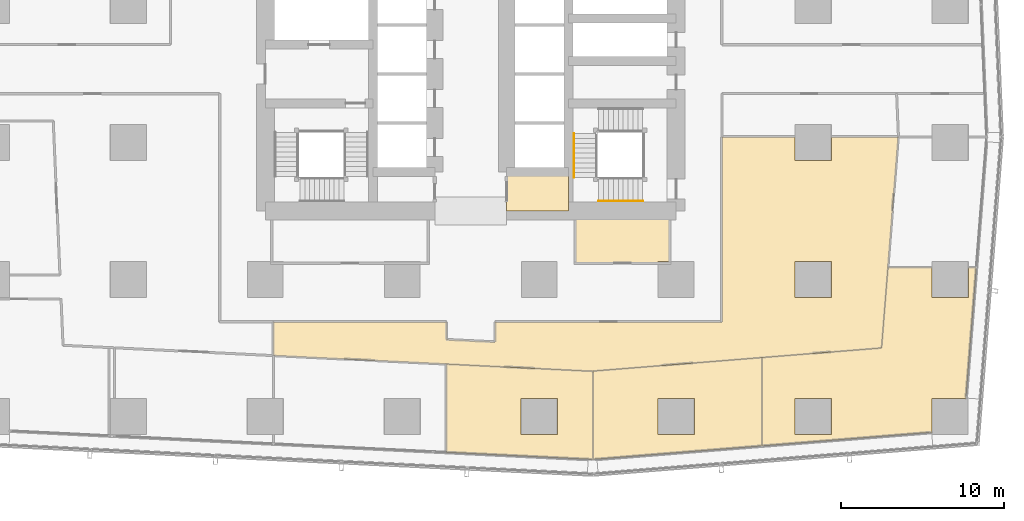
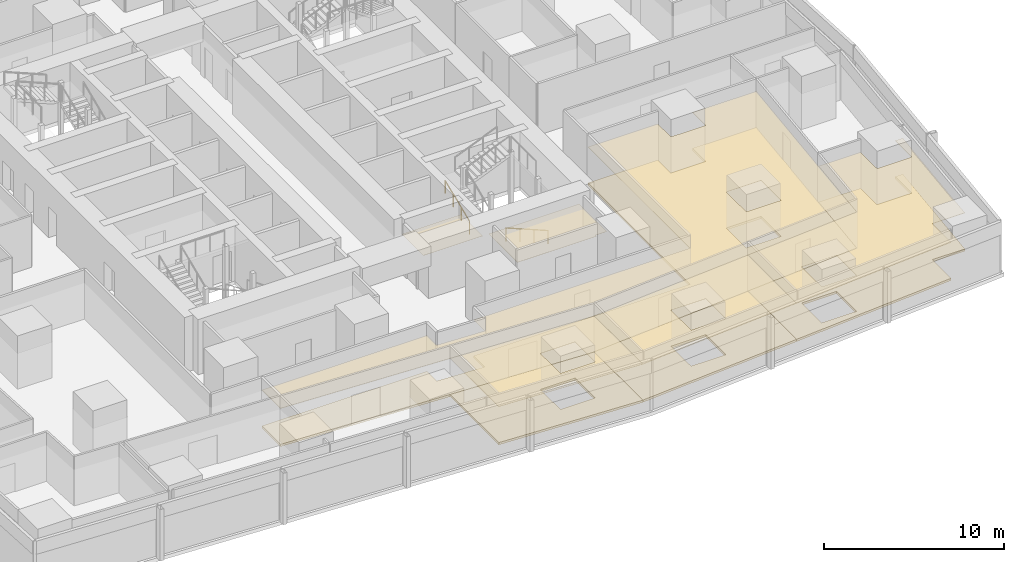
# One storey, part 38 of 44: 10 coverings, 2 railings.
"""IFC4 building model written with IfcOpenShell, lengths in metres."""

from ifc_helpers import new_model, si_unit, direction, frame, origin, origin_2d, place, context, subcontext, project, spatial, polyline, circle, outline, extrude, material, layer, layer_set, type_object, element, save


model = new_model("IFC4")

# Units and contexts
model_context = context("Model", 3, precision=1e-05, world=origin(), true_north=direction((0.0, 1.0)))
body_context = subcontext(model_context, "Body", "Model", "MODEL_VIEW")
ifc_project = project(units=[si_unit("LENGTHUNIT", "METRE"), si_unit("AREAUNIT", "SQUARE_METRE"), si_unit("VOLUMEUNIT", "CUBIC_METRE"), si_unit("PLANEANGLEUNIT", "RADIAN"), si_unit("MASSUNIT", "GRAM", prefix="KILO")], contexts=[model_context])

# Site, building, storey
site_placement = place(None, origin())
site = spatial("IfcSite", under=ifc_project, at=site_placement, CompositionType="ELEMENT")
building_placement = place(site_placement, origin())
building = spatial("IfcBuilding", under=site, at=building_placement, Name="Rekha Terrace Tower", CompositionType="ELEMENT")
storey_placement = place(building_placement, frame((0.0, 0.0, 74.14990234375)))
storey = spatial("IfcBuildingStorey", under=building, at=storey_placement, Name="L18", CompositionType="ELEMENT", Elevation=74.14990234375)

# Coverings
ifc_material_1 = material(Name="Mineral fibre tile in exposed grid", Category="finish")
ifc_layer_1 = layer(ifc_material_1, 0.02001953125)
ifc_layer_set_1 = layer_set([ifc_layer_1], Name="Mineral fibre tile in exposed grid")
covering_type_1 = type_object("IfcCoveringType", Name="CL1 600x1200 office grid ceiling", PredefinedType="CEILING", material=ifc_layer_set_1)
covering_1_placement = place(storey_placement, frame((0.0, 0.0, 2.580078125)))
element("IfcCovering", 1, at=covering_1_placement, inside=storey, type_object=covering_type_1, Name="Ceiling L18-02", PredefinedType="CEILING", context=body_context, shape_type="SweptSolid", body=[
    extrude(outline(polyline([(45.303955078125, 11.1669921875), (36.299072265625, 11.60888671875), (36.299072265625, 6.202880859375), (45.303955078125, 5.760009765625), (45.303955078125, 11.1669921875)]), holes=[polyline([(43.114990234375, 7.284912109375), (40.885009765625, 7.284912109375), (40.885009765625, 9.514892578125), (43.114990234375, 9.514892578125), (43.114990234375, 7.284912109375)])]), origin(), (0.0, 0.0, 1.0), 0.02001953125),
])
covering_2_placement = place(storey_placement, frame((0.0, 0.0, 2.580078125)))
element("IfcCovering", 2, at=covering_2_placement, inside=storey, type_object=covering_type_1, Name="Ceiling L18-03", PredefinedType="CEILING", context=body_context, shape_type="SweptSolid", body=[
    extrude(outline(polyline([(55.6708984375, 6.594970703125), (55.6708984375, 12.011962890625), (45.304931640625, 11.181884765625), (45.304931640625, 5.764892578125), (55.6708984375, 6.594970703125)]), holes=[polyline([(51.514892578125, 7.284912109375), (49.284912109375, 7.284912109375), (49.284912109375, 9.514892578125), (51.514892578125, 9.514892578125), (51.514892578125, 7.284912109375)])]), origin(), (0.0, 0.0, 1.0), 0.02001953125),
])
covering_3_placement = place(storey_placement, frame((0.0, 0.0, 2.580078125)))
element("IfcCovering", 3, at=covering_3_placement, inside=storey, type_object=covering_type_1, Name="Ceiling L18-04", PredefinedType="CEILING", context=body_context, shape_type="SweptSolid", body=[
    extrude(outline(polyline([(62.99609375, 12.59912109375), (55.673095703125, 12.012939453125), (55.673095703125, 6.594970703125), (66.0849609375, 7.428955078125), (66.0849609375, 9.514892578125), (68.16796875, 9.514892578125), (68.803955078125, 17.52294921875), (68.31494140625, 17.52294921875), (68.31494140625, 15.68505859375), (66.0849609375, 15.68505859375), (66.0849609375, 17.52294921875), (63.386962890625, 17.52294921875), (62.99609375, 12.59912109375)]), holes=[polyline([(59.9150390625, 7.284912109375), (57.68505859375, 7.284912109375), (57.68505859375, 9.514892578125), (59.9150390625, 9.514892578125), (59.9150390625, 7.284912109375)])]), origin(), (0.0, 0.0, 1.0), 0.02001953125),
])
covering_4_placement = place(storey_placement, frame((0.0, 0.0, 2.580078125)))
element("IfcCovering", 4, at=covering_4_placement, inside=storey, type_object=covering_type_1, Name="Ceiling L18-O1", PredefinedType="CEILING", context=body_context, shape_type="SweptSolid", body=[
    extrude(outline(polyline([(25.697021484375, 12.1298828125), (36.299072265625, 11.60888671875), (45.18798828125, 11.173095703125), (45.320068359375, 11.18310546875), (55.673095703125, 12.011962890625), (55.673095703125, 12.012939453125), (62.99609375, 12.59912109375), (63.386962890625, 17.52392578125), (64.02392578125, 25.552001953125), (59.9150390625, 25.552001953125), (59.9150390625, 24.0849609375), (57.68505859375, 24.0849609375), (57.68505859375, 25.552001953125), (53.199951171875, 25.552001953125), (53.199951171875, 14.199951171875), (39.300048828125, 14.199951171875), (39.300048828125, 12.964111328125), (36.300048828125, 13.111083984375), (36.300048828125, 14.199951171875), (25.697021484375, 14.199951171875), (25.697021484375, 12.1298828125)]), holes=[polyline([(59.9150390625, 17.9150390625), (59.9150390625, 15.68505859375), (57.68505859375, 15.68505859375), (57.68505859375, 17.9150390625), (59.9150390625, 17.9150390625)])]), origin(), (0.0, 0.0, 1.0), 0.02001953125),
])
ifc_material_2 = material(Name="Fibre cement board", Category="finish")
ifc_layer_2 = layer(ifc_material_2, 0.014892578125)
ifc_layer_set_2 = layer_set([ifc_layer_2], Name="Fibre cement board")
covering_type_2 = type_object("IfcCoveringType", Name="CL2 moisture-resistant board ceiling", PredefinedType="CEILING", material=ifc_layer_set_2)
covering_5_placement = place(storey_placement, frame((0.0, 0.0, 2.585205078125)))
element("IfcCovering", 5, at=covering_5_placement, inside=storey, type_object=covering_type_2, Name="Ceiling L18-WCA", PredefinedType="CEILING", context=body_context, shape_type="SweptSolid", body=[
    extrude(outline(polyline([(43.800048828125, 23.39990234375), (40.0, 23.39990234375), (40.0, 21.0), (43.800048828125, 21.0), (43.800048828125, 23.39990234375)])), origin(), (0.0, 0.0, 1.0), 0.014892578125),
])
covering_6_placement = place(storey_placement, frame((0.0, 0.0, 2.585205078125)))
element("IfcCovering", 6, at=covering_6_placement, inside=storey, type_object=covering_type_2, Name="Ceiling L18-WCM2", PredefinedType="CEILING", context=body_context, shape_type="SweptSolid", body=[
    extrude(outline(polyline([(50.0, 21.0), (44.199951171875, 21.0), (44.199951171875, 17.800048828125), (49.284912109375, 17.800048828125), (49.284912109375, 17.9150390625), (50.0, 17.9150390625), (50.0, 21.0)])), origin(), (0.0, 0.0, 1.0), 0.014892578125),
])

# Railings
ifc_material_3 = material(Name="Stainless steel tube", Category="steel")
railing_type = type_object("IfcRailingType", Name="HR1 900 stair handrail", PredefinedType="HANDRAIL", material=ifc_material_3)
railing_1_placement = place(storey_placement, frame((48.35009765625, 21.610107421875, 0.125)))
element("IfcRailing", 7, at=railing_1_placement, inside=storey, type_object=railing_type, Name="Handrail ST3 L18 flight 1", PredefinedType="HANDRAIL", context=body_context, shape_type="SweptSolid", body=[
    extrude(circle(Radius=0.02392578125, at=origin_2d()), frame((0.0, 0.0, 0.8759765625), z_axis=(-0.923086799901, 0.0, 0.38459167938), x_axis=(0.0, -1.0, 0.0)), (0.0, 0.0, 1.0), 2.92529296875),
    extrude(circle(Radius=0.02099609375, at=origin_2d()), origin(), (0.0, 0.0, 1.0), 0.851806640625),
    extrude(circle(Radius=0.02099609375, at=origin_2d()), frame((-0.900146484375, 0.0, 0.375)), (0.0, 0.0, 1.0), 0.851806640625),
    extrude(circle(Radius=0.02099609375, at=origin_2d()), frame((-1.800048828125, 0.0, 0.75)), (0.0, 0.0, 1.0), 0.851806640625),
    extrude(circle(Radius=0.02099609375, at=origin_2d()), frame((-2.7001953125, 0.0, 1.125)), (0.0, 0.0, 1.0), 0.851806640625),
])
railing_2_placement = place(storey_placement, frame((44.135009765625, 23.050048828125, 1.375)))
element("IfcRailing", 8, at=railing_2_placement, inside=storey, type_object=railing_type, Name="Handrail ST3 L18 flight 2", PredefinedType="HANDRAIL", context=body_context, shape_type="SweptSolid", body=[
    extrude(circle(Radius=0.02392578125, at=origin_2d()), frame((0.0, 0.0, 0.8759765625), z_axis=(0.0, 0.923074453586, 0.384621311341), x_axis=(-1.0, 0.0, 0.0)), (0.0, 0.0, 1.0), 2.925048828125),
    extrude(circle(Radius=0.02099609375, at=origin_2d()), origin(), (0.0, 0.0, 1.0), 0.851806640625),
    extrude(circle(Radius=0.02099609375, at=origin_2d()), frame((0.0, 0.89990234375, 0.375)), (0.0, 0.0, 1.0), 0.851806640625),
    extrude(circle(Radius=0.02099609375, at=origin_2d()), frame((0.0, 1.800048828125, 0.75)), (0.0, 0.0, 1.0), 0.851806640625),
    extrude(circle(Radius=0.02099609375, at=origin_2d()), frame((0.0, 2.699951171875, 1.125)), (0.0, 0.0, 1.0), 0.851806640625),
])

# Coverings
ifc_material_4 = material(Name="Calcium sulphate panels on steel pedestals", Category="steel")
ifc_layer_3 = layer(ifc_material_4, 0.14990234375)
ifc_layer_set_3 = layer_set([ifc_layer_3], Name="Calcium sulphate panels on steel pedestals")
covering_type_3 = type_object("IfcCoveringType", Name="RF1 150 raised access floor", PredefinedType="FLOORING", material=ifc_layer_set_3)
covering_7_placement = place(storey_placement, origin())
element("IfcCovering", 9, at=covering_7_placement, inside=storey, type_object=covering_type_3, Name="Raised floor L18-02", PredefinedType="FLOORING", context=body_context, shape_type="SweptSolid", body=[
    extrude(outline(polyline([(45.303955078125, 11.1669921875), (36.299072265625, 11.60888671875), (36.299072265625, 6.202880859375), (45.303955078125, 5.760009765625), (45.303955078125, 11.1669921875)]), holes=[polyline([(43.114990234375, 7.284912109375), (40.885009765625, 7.284912109375), (40.885009765625, 9.514892578125), (43.114990234375, 9.514892578125), (43.114990234375, 7.284912109375)])]), origin(), (0.0, 0.0, 1.0), 0.150146484375),
])
covering_8_placement = place(storey_placement, origin())
element("IfcCovering", 10, at=covering_8_placement, inside=storey, type_object=covering_type_3, Name="Raised floor L18-03", PredefinedType="FLOORING", context=body_context, shape_type="SweptSolid", body=[
    extrude(outline(polyline([(55.6708984375, 6.594970703125), (55.6708984375, 12.011962890625), (45.304931640625, 11.181884765625), (45.304931640625, 5.764892578125), (55.6708984375, 6.594970703125)]), holes=[polyline([(51.514892578125, 7.284912109375), (49.284912109375, 7.284912109375), (49.284912109375, 9.514892578125), (51.514892578125, 9.514892578125), (51.514892578125, 7.284912109375)])]), origin(), (0.0, 0.0, 1.0), 0.150146484375),
])
covering_9_placement = place(storey_placement, origin())
element("IfcCovering", 11, at=covering_9_placement, inside=storey, type_object=covering_type_3, Name="Raised floor L18-04", PredefinedType="FLOORING", context=body_context, shape_type="SweptSolid", body=[
    extrude(outline(polyline([(62.99609375, 12.59912109375), (55.673095703125, 12.012939453125), (55.673095703125, 6.594970703125), (66.0849609375, 7.428955078125), (66.0849609375, 9.514892578125), (68.16796875, 9.514892578125), (68.803955078125, 17.52294921875), (68.31494140625, 17.52294921875), (68.31494140625, 15.68505859375), (66.0849609375, 15.68505859375), (66.0849609375, 17.52294921875), (63.386962890625, 17.52294921875), (62.99609375, 12.59912109375)]), holes=[polyline([(59.9150390625, 7.284912109375), (57.68505859375, 7.284912109375), (57.68505859375, 9.514892578125), (59.9150390625, 9.514892578125), (59.9150390625, 7.284912109375)])]), origin(), (0.0, 0.0, 1.0), 0.150146484375),
])
covering_10_placement = place(storey_placement, origin())
element("IfcCovering", 12, at=covering_10_placement, inside=storey, type_object=covering_type_3, Name="Raised floor L18-O1", PredefinedType="FLOORING", context=body_context, shape_type="SweptSolid", body=[
    extrude(outline(polyline([(25.697021484375, 12.1298828125), (36.299072265625, 11.60888671875), (45.18798828125, 11.173095703125), (45.320068359375, 11.18310546875), (55.673095703125, 12.011962890625), (55.673095703125, 12.012939453125), (62.99609375, 12.59912109375), (63.386962890625, 17.52392578125), (64.02392578125, 25.552001953125), (59.9150390625, 25.552001953125), (59.9150390625, 24.0849609375), (57.68505859375, 24.0849609375), (57.68505859375, 25.552001953125), (53.199951171875, 25.552001953125), (53.199951171875, 14.199951171875), (39.300048828125, 14.199951171875), (39.300048828125, 12.964111328125), (36.300048828125, 13.111083984375), (36.300048828125, 14.199951171875), (25.697021484375, 14.199951171875), (25.697021484375, 12.1298828125)]), holes=[polyline([(59.9150390625, 17.9150390625), (59.9150390625, 15.68505859375), (57.68505859375, 15.68505859375), (57.68505859375, 17.9150390625), (59.9150390625, 17.9150390625)])]), origin(), (0.0, 0.0, 1.0), 0.150146484375),
])

save(model, "model.ifc")
